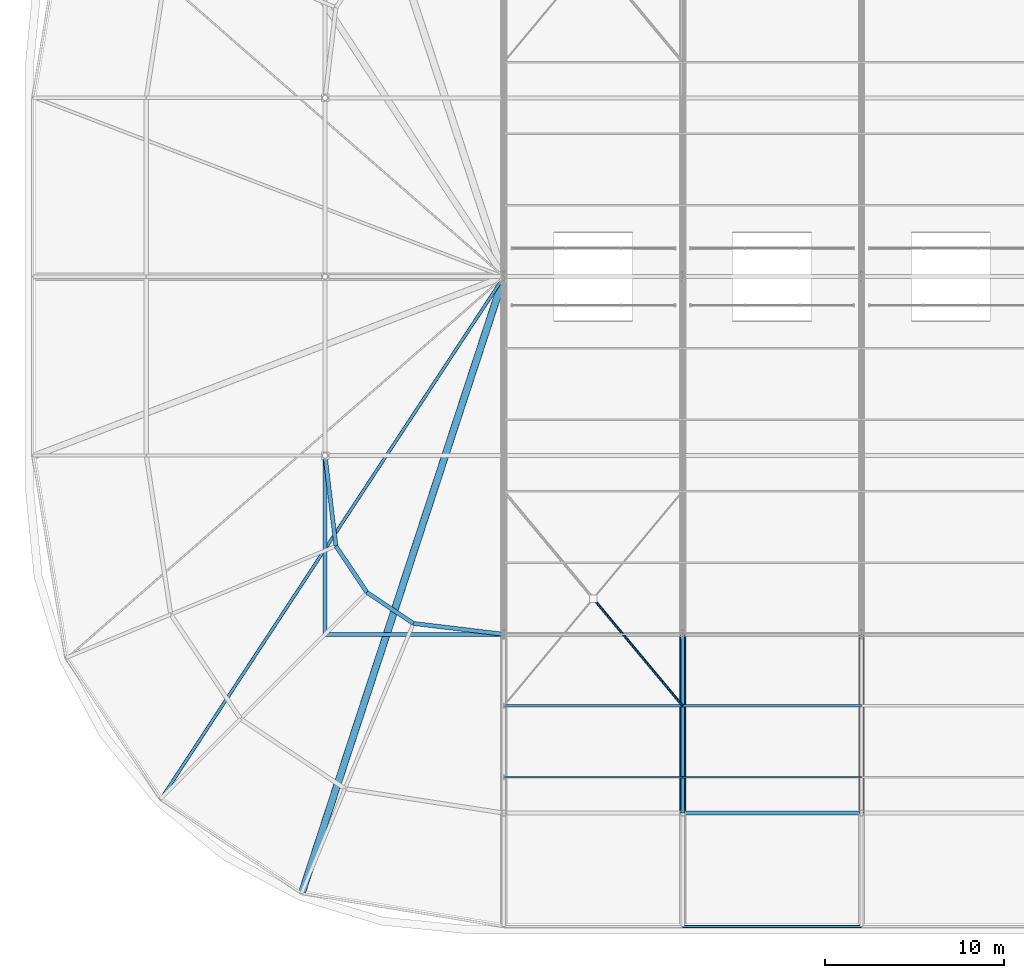
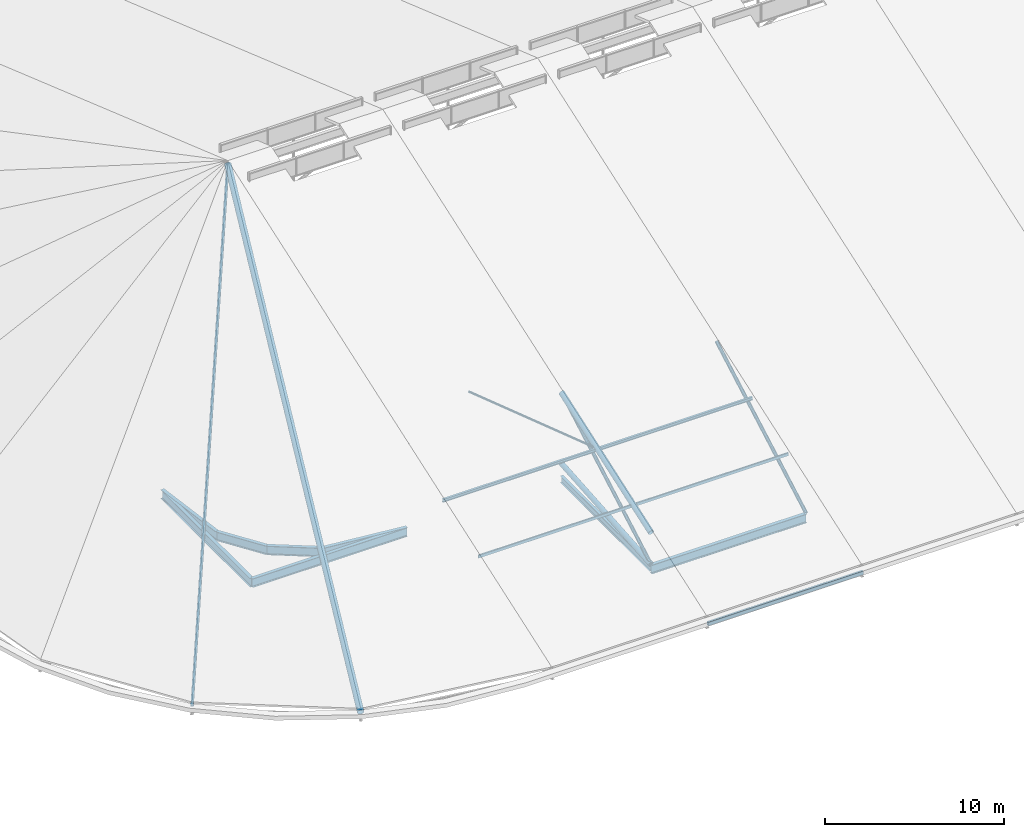
# One storey, part 10 of 93: 11 members, 9 beams.
"""IFC4 building model written with IfcOpenShell, lengths in metres."""

import ifcopenshell
import ifcopenshell.guid

model = None  # the IFC model being written
_history = None  # IfcOwnerHistory: only IFC2X3 demands one
_inside = {}  # id of a spatial element -> (the spatial element, [elements in it])
_under = {}  # id of a project, library or spatial element -> (it, [spatial elements below it])
_declared = {}  # id of a project -> (the project, [libraries it declares])
_typed = {}  # id of a type object -> (the type object, [elements of that type])
_made_of = {}  # id of a material, layer set ... -> (it, [elements and type objects made of it])


def new_model(schema):
    """Start an empty IFC model of exactly this schema.

    Asked for "IFC4X3", IfcOpenShell would pick the latest addendum, in which some entities
    have other attributes; the version numbers below select the first issue.
    IFC2X3 requires an IfcOwnerHistory on every rooted entity: one is made here for all.
    """
    global model, _history
    if schema == "IFC4X3":
        model = ifcopenshell.file(schema_version=(4, 3, 0, 0))
    else:
        model = ifcopenshell.file(schema=schema)
    _inside.clear()
    _under.clear()
    _declared.clear()
    _typed.clear()
    _made_of.clear()
    _history = None
    if model.schema == "IFC2X3":
        org = make("IfcOrganization", Name="unknown")
        user = make(
            "IfcPersonAndOrganization",
            ThePerson=make("IfcPerson", FamilyName="unknown"),
            TheOrganization=org,
        )
        app = make(
            "IfcApplication",
            ApplicationDeveloper=org,
            Version="unknown",
            ApplicationFullName="unknown",
            ApplicationIdentifier="unknown",
        )
        _history = make(
            "IfcOwnerHistory",
            OwningUser=user,
            OwningApplication=app,
            ChangeAction="ADDED",
            CreationDate=0,
        )
    return model


def make(cls, **values):
    """One entity of the class cls with the attributes given. An attribute that is None is left unset."""
    return model.create_entity(
        cls, **{name: value for name, value in values.items() if value is not None}
    )


def rooted(cls, **values):
    """An entity with a GlobalId (a new one), such as an element, a storey or a relation."""
    return make(cls, GlobalId=ifcopenshell.guid.new(), OwnerHistory=_history, **values)


def si_unit(unit_type, name, prefix=None):
    """IfcSIUnit, for example si_unit("LENGTHUNIT", "METRE", prefix="MILLI")."""
    return make("IfcSIUnit", UnitType=unit_type, Prefix=prefix, Name=name)


def derived_unit(unit_type, elements):
    """IfcDerivedUnit: a product of units, each with its exponent."""
    return make(
        "IfcDerivedUnit",
        Elements=[
            make("IfcDerivedUnitElement", Unit=unit, Exponent=power)
            for unit, power in elements
        ],
        UnitType=unit_type,
    )


def assignment(units):
    """IfcUnitAssignment: the units of a project."""
    return None if units is None else make("IfcUnitAssignment", Units=units)


def point(xyz):
    """IfcCartesianPoint."""
    return None if xyz is None else make("IfcCartesianPoint", Coordinates=xyz)


def direction(xyz):
    """IfcDirection."""
    return None if xyz is None else make("IfcDirection", DirectionRatios=xyz)


def frame(location, z_axis=None, x_axis=None):
    """IfcAxis2Placement3D, a coordinate frame: its origin and axes. An axis left out is left unset."""
    return make(
        "IfcAxis2Placement3D",
        Location=point(location),
        Axis=direction(z_axis),
        RefDirection=direction(x_axis),
    )


def frame_2d(location, x_axis=None):
    """IfcAxis2Placement2D, a coordinate frame in the plane: its origin and x axis."""
    return make(
        "IfcAxis2Placement2D", Location=point(location), RefDirection=direction(x_axis)
    )


def origin():
    """The frame at (0, 0, 0) with its axes left unset."""
    return frame((0.0, 0.0, 0.0))


def origin_2d_with_axis():
    """The frame at (0, 0) in the plane with the x axis (1, 0) written out."""
    return frame_2d((0.0, 0.0), x_axis=(1.0, 0.0))


def place(relative_to, where):
    """IfcLocalPlacement: puts the frame where relative to a parent placement (None: the world)."""
    return make(
        "IfcLocalPlacement", PlacementRelTo=relative_to, RelativePlacement=where
    )


def context(
    kind, dimensions, precision=None, world=None, true_north=None, identifier=None
):
    """IfcGeometricRepresentationContext, for example the 3D "Model" context."""
    return make(
        "IfcGeometricRepresentationContext",
        ContextIdentifier=identifier,
        ContextType=kind,
        CoordinateSpaceDimension=dimensions,
        Precision=precision,
        WorldCoordinateSystem=world,
        TrueNorth=true_north,
    )


def subcontext(parent, identifier, kind, view, scale=None):
    """IfcGeometricRepresentationSubContext, for example "Body" below "Model"."""
    return make(
        "IfcGeometricRepresentationSubContext",
        ContextIdentifier=identifier,
        ContextType=kind,
        ParentContext=parent,
        TargetScale=scale,
        TargetView=view,
    )


def project(units=None, contexts=None):
    """IfcProject with its units and contexts."""
    return rooted(
        "IfcProject",
        Name="project",
        RepresentationContexts=contexts,
        UnitsInContext=assignment(units),
    )


def spatial(cls, under=None, at=None, **own):
    """A site, building, storey or space (cls), placed at a placement, below another one or the project."""
    s = rooted(cls, ObjectPlacement=at, **own)
    if under is not None:
        _under.setdefault(under.id(), (under, []))[1].append(s)
    return s


def profile(cls, at=None, kind="AREA", **sizes):
    """A parametric profile (cls). Its sizes go by their IFC names, for example OverallWidth=200.0."""
    return make(cls, ProfileType=kind, Position=at, **sizes)


def hollow_rectangle(**sizes):
    """IfcRectangleHollowProfileDef."""
    return profile("IfcRectangleHollowProfileDef", **sizes)


def hollow_circle(**sizes):
    """IfcCircleHollowProfileDef."""
    return profile("IfcCircleHollowProfileDef", **sizes)


def i_section(**sizes):
    """IfcIShapeProfileDef."""
    return profile("IfcIShapeProfileDef", **sizes)


def extrude(swept, where, along, depth):
    """IfcExtrudedAreaSolid: the profile swept, set in the frame where, extruded along a direction by depth."""
    return make(
        "IfcExtrudedAreaSolid",
        SweptArea=swept,
        Position=where,
        ExtrudedDirection=direction(along),
        Depth=depth,
    )


def shape(context_of_items, identifier, shape_type, items):
    """IfcShapeRepresentation: the items that make up one representation, for example the "Body"."""
    return make(
        "IfcShapeRepresentation",
        ContextOfItems=context_of_items,
        RepresentationIdentifier=identifier,
        RepresentationType=shape_type,
        Items=items,
    )


def material(Name=None, Category=None):
    """IfcMaterial."""
    return make("IfcMaterial", Name=Name, Category=Category)


def material_profile(
    of_material, cross_section, Name=None, Category=None, Priority=None
):
    """IfcMaterialProfile: a cross section and its material."""
    return make(
        "IfcMaterialProfile",
        Name=Name,
        Material=of_material,
        Profile=cross_section,
        Priority=Priority,
        Category=Category,
    )


def profile_set(profiles, Name=None, composite=None):
    """IfcMaterialProfileSet."""
    return make(
        "IfcMaterialProfileSet",
        Name=Name,
        MaterialProfiles=profiles,
        CompositeProfile=composite,
    )


def made_of(thing, what):
    """Note that an element or type object is made of a material, layer set ...; save() writes the relation."""
    if what is not None:
        _made_of.setdefault(what.id(), (what, []))[1].append(thing)
    return thing


def type_object(cls, material=None, **own):
    """A type object (cls), such as IfcWallType, which elements share."""
    return made_of(rooted(cls, **own), material)


def element(
    cls,
    number,
    at=None,
    inside=None,
    cuts=None,
    type_object=None,
    material=None,
    context=None,
    identifier="Body",
    shape_type=None,
    held_by="IfcProductDefinitionShape",
    body=None,
    shapes=None,
    **own,
):
    """One element of the class cls, such as IfcWall. Its Tag is "e" and its number.

    at: its placement. inside: the storey or other place that contains it. cuts: it is an
    opening in that element (IfcRelVoidsElement). A single representation is given by context,
    identifier, shape_type and body (its items); several are given by shapes. held_by: the class
    of the entity that holds the representations. save() writes the other relations.
    """
    e = rooted(cls, Tag="e%d" % number, ObjectPlacement=at, **own)
    if body is not None:
        shapes = [shape(context, identifier, shape_type, body)]
    if shapes is not None:
        e.Representation = make(held_by, Representations=shapes)
    if inside is not None:
        _inside.setdefault(inside.id(), (inside, []))[1].append(e)
    if cuts is not None:
        rooted(
            "IfcRelVoidsElement", RelatingBuildingElement=cuts, RelatedOpeningElement=e
        )
    if type_object is not None:
        _typed.setdefault(type_object.id(), (type_object, []))[1].append(e)
    return made_of(e, material)


def aggregate(whole, parts):
    """IfcRelAggregates: a whole, such as a stair, and the parts it consists of."""
    return rooted("IfcRelAggregates", RelatingObject=whole, RelatedObjects=parts)


def save(model, path):
    """Write the relations noted so far, then the file.

    IfcRelAggregates (storeys below a building ...), IfcRelContainedInSpatialStructure (elements
    in a storey), IfcRelDefinesByType, IfcRelAssociatesMaterial and IfcRelDeclares: one each for
    every whole, place, type object, material and project.
    """
    for whole, parts in _under.values():
        aggregate(whole, parts)
    for where, things in _inside.values():
        rooted(
            "IfcRelContainedInSpatialStructure",
            RelatedElements=things,
            RelatingStructure=where,
        )
    for kind, things in _typed.values():
        rooted("IfcRelDefinesByType", RelatedObjects=things, RelatingType=kind)
    for what, things in _made_of.values():
        rooted("IfcRelAssociatesMaterial", RelatedObjects=things, RelatingMaterial=what)
    for by, libraries in _declared.values():
        rooted("IfcRelDeclares", RelatingContext=by, RelatedDefinitions=libraries)
    model.write(path)


model = new_model("IFC4")

# Units and contexts
model_context = context("Model", 3, precision=1e-05, world=origin(), true_north=direction((0.0, 1.0)))
body_context = subcontext(model_context, "Body", "Model", "MODEL_VIEW")
ifc_project = project(units=[si_unit("LENGTHUNIT", "METRE"), si_unit("AREAUNIT", "SQUARE_METRE"), si_unit("VOLUMEUNIT", "CUBIC_METRE"), si_unit("PLANEANGLEUNIT", "RADIAN"), si_unit("MASSUNIT", "GRAM", prefix="KILO"), derived_unit("THERMALTRANSMITTANCEUNIT", [(si_unit("POWERUNIT", "WATT"), 1), (si_unit("LENGTHUNIT", "METRE"), -2), (si_unit("THERMODYNAMICTEMPERATUREUNIT", "KELVIN"), -1)])], contexts=[model_context])

# Site, building, storey
site_placement = place(None, origin())
site = spatial("IfcSite", under=ifc_project, at=site_placement, CompositionType="ELEMENT")
building_placement = place(site_placement, origin())
building = spatial("IfcBuilding", under=site, at=building_placement, Name="Cinnabar Yard Market Hall", CompositionType="ELEMENT")
storey_placement = place(building_placement, frame((0.0, 0.0, 23.800048828125)))
storey = spatial("IfcBuildingStorey", under=building, at=storey_placement, Name="ROOF", CompositionType="ELEMENT", Elevation=23.800048828125)

# Beams
ifc_material_1 = material(Name="Steel Grade 350 (350 MPa)", Category="steel")
ifc_material_profile_1 = material_profile(ifc_material_1, i_section(OverallWidth=0.22900390625, OverallDepth=0.611572265625, WebThickness=0.011962890625, FlangeThickness=0.01953125, FilletRadius=0.013916015625, at=origin_2d_with_axis()), Name="610UB125")
ifc_profile_set_1 = profile_set([ifc_material_profile_1], Name="Steel Grade 350 (350 MPa)")
beam_type_1 = type_object("IfcBeamType", Name="BM-B01E", PredefinedType="BEAM", material=ifc_profile_set_1)
beam_1_placement = place(storey_placement, frame((96.0, 14.0, -9.705810546875), z_axis=(1.0, 0.0, 0.0), x_axis=(0.0, 1.0, 0.0)))
element("IfcBeam", 1, at=beam_1_placement, inside=storey, type_object=beam_type_1, Name="South Springer Girder 00358", PredefinedType="BEAM", context=body_context, shape_type="SweptSolid", body=[
    extrude(i_section(OverallWidth=0.22900390625, OverallDepth=0.611572265625, WebThickness=0.011962890625, FlangeThickness=0.01953125, FilletRadius=0.013916015625, at=origin_2d_with_axis()), origin(), (0.0, 0.0, 1.0), 10.0),
])
ifc_material_2 = material(Name="Steel Grade 300 (300 MPa)", Category="steel")
ifc_material_profile_2 = material_profile(ifc_material_2, i_section(OverallWidth=0.22802734375, OverallDepth=0.60205078125, WebThickness=0.010498046875, FlangeThickness=0.014892578125, FilletRadius=0.013916015625, at=origin_2d_with_axis()), Name="610UB101")
ifc_profile_set_2 = profile_set([ifc_material_profile_2], Name="Steel Grade 300 (300 MPa)")
beam_type_2 = type_object("IfcBeamType", Name="BM-B02", PredefinedType="BEAM", material=ifc_profile_set_2)
for number, where, z_axis, x_axis, name in (
    (2, (76.0, 24.0, -9.700927734375), (1.0, 0.0, 0.0), (0.0, 1.0, 0.0), "Hall Longitudinal Tie Girder 00372"),
    (3, (76.0, 24.0, -9.700927734375), (0.0, 1.0, 0.0), (-1.0, 0.0, 0.0), "Hall Transverse Tie Girder 00412"),
):
    element("IfcBeam", number, at=place(storey_placement, frame(where, z_axis=z_axis, x_axis=x_axis)), inside=storey, type_object=beam_type_2, Name=name, PredefinedType="BEAM", context=body_context, shape_type="SweptSolid", body=[
        extrude(i_section(OverallWidth=0.22802734375, OverallDepth=0.60205078125, WebThickness=0.010498046875, FlangeThickness=0.014892578125, FilletRadius=0.013916015625, at=origin_2d_with_axis()), origin(), (0.0, 0.0, 1.0), 10.0),
    ])
beam_2_placement = place(storey_placement, frame((76.0, 34.0, -9.700927734375), z_axis=(0.119436026198, -0.992841898615, 0.0), x_axis=(0.992841898615, 0.119436026198, 0.0)))
element("IfcBeam", 4, at=beam_2_placement, inside=storey, type_object=beam_type_2, Name="Inner Corner Ring SW 00448", PredefinedType="BEAM", context=body_context, shape_type="SweptSolid", body=[
    extrude(i_section(OverallWidth=0.22802734375, OverallDepth=0.60205078125, WebThickness=0.010498046875, FlangeThickness=0.014892578125, FilletRadius=0.013916015625, at=origin_2d_with_axis()), origin(), (0.0, 0.0, 1.0), 5.097900390625),
])
for number, where, z_axis, x_axis, name in (
    (5, (76.60888671875, 28.9384765625, -9.700927734375), (0.555548220115, -0.831484320434, 0.0), (0.831484320434, 0.555548220115, 0.0), "Inner Corner Ring SW 00451"),
    (6, (78.343017578125, 26.343017578125, -9.700927734375), (0.831484320434, -0.555548220115, 0.0), (0.555548220115, 0.831484320434, 0.0), "Inner Corner Ring SW 00454"),
):
    element("IfcBeam", number, at=place(storey_placement, frame(where, z_axis=z_axis, x_axis=x_axis)), inside=storey, type_object=beam_type_2, Name=name, PredefinedType="BEAM", context=body_context, shape_type="SweptSolid", body=[
        extrude(i_section(OverallWidth=0.22802734375, OverallDepth=0.60205078125, WebThickness=0.010498046875, FlangeThickness=0.014892578125, FilletRadius=0.013916015625, at=origin_2d_with_axis()), origin(), (0.0, 0.0, 1.0), 3.12158203125),
    ])
beam_3_placement = place(storey_placement, frame((80.9384765625, 24.60888671875, -9.700927734375), z_axis=(0.992841898615, -0.119436026198, 0.0), x_axis=(0.119436026198, 0.992841898615, 0.0)))
element("IfcBeam", 7, at=beam_3_placement, inside=storey, type_object=beam_type_2, Name="Inner Corner Ring SW 00457", PredefinedType="BEAM", context=body_context, shape_type="SweptSolid", body=[
    extrude(i_section(OverallWidth=0.22802734375, OverallDepth=0.60205078125, WebThickness=0.010498046875, FlangeThickness=0.014892578125, FilletRadius=0.013916015625, at=origin_2d_with_axis()), origin(), (0.0, 0.0, 1.0), 5.097900390625),
])
ifc_material_profile_3 = material_profile(ifc_material_2, i_section(OverallWidth=0.19091796875, OverallDepth=0.46044921875, WebThickness=0.010009765625, FlangeThickness=0.01611328125, FilletRadius=0.011474609375, at=origin_2d_with_axis()), Name="460UB82.1")
ifc_profile_set_3 = profile_set([ifc_material_profile_3], Name="Steel Grade 300 (300 MPa)")
beam_type_3 = type_object("IfcBeamType", Name="BM-B04", PredefinedType="BEAM", material=ifc_profile_set_3)
beam_4_placement = place(storey_placement, frame((96.0, 24.0, -9.630126953125), z_axis=(0.0, -1.0, 0.0), x_axis=(1.0, 0.0, 0.0)))
element("IfcBeam", 8, at=beam_4_placement, inside=storey, type_object=beam_type_3, Name="South Chhajja Backspan Girder 00524", PredefinedType="BEAM", context=body_context, shape_type="SweptSolid", body=[
    extrude(i_section(OverallWidth=0.19091796875, OverallDepth=0.46044921875, WebThickness=0.010009765625, FlangeThickness=0.01611328125, FilletRadius=0.011474609375, at=origin_2d_with_axis()), origin(), (0.0, 0.0, 1.0), 10.0),
])
ifc_material_3 = material(Name="Cold-formed steel C350L0", Category="steel")
ifc_material_profile_4 = material_profile(ifc_material_3, hollow_rectangle(XDim=0.14990234375, YDim=0.25, WallThickness=0.009033203125, InnerFilletRadius=0.009033203125, OuterFilletRadius=0.01806640625, at=origin_2d_with_axis()), Name="250x150x9.0RHS")
ifc_profile_set_4 = profile_set([ifc_material_profile_4], Name="Cold-formed steel C350L0")
beam_type_4 = type_object("IfcBeamType", Name="BM-SP01E", PredefinedType="SPANDREL", material=ifc_profile_set_4)
beam_5_placement = place(storey_placement, frame((96.0, 7.659912109375, -9.60498046875), z_axis=(1.0, 0.0, 0.0), x_axis=(0.0, 1.0, 0.0)))
element("IfcBeam", 9, at=beam_5_placement, inside=storey, type_object=beam_type_4, Name="South Eave Fascia 00550", PredefinedType="SPANDREL", context=body_context, shape_type="SweptSolid", body=[
    extrude(hollow_rectangle(XDim=0.14990234375, YDim=0.25, WallThickness=0.009033203125, InnerFilletRadius=0.009033203125, OuterFilletRadius=0.01806640625, at=origin_2d_with_axis()), origin(), (0.0, 0.0, 1.0), 10.0),
])

# Members
ifc_material_profile_5 = material_profile(ifc_material_3, hollow_circle(Radius=0.161865234375, WallThickness=0.009521484375, at=origin_2d_with_axis()), Name="323.9x9.5CHS")
ifc_profile_set_5 = profile_set([ifc_material_profile_5], Name="Cold-formed steel C350L0")
member_type_1 = type_object("IfcMemberType", Name="MB-BC01", PredefinedType="CHORD", material=ifc_profile_set_5)
member_1_placement = place(storey_placement, frame((96.0, 14.0, -9.400146484375), z_axis=(0.0, 0.99681489162, 0.07975005859), x_axis=(-1.0, 0.0, 0.0)))
element("IfcMember", 10, at=member_1_placement, inside=storey, type_object=member_type_1, Name="Hall Truss 96 Bottom Chord 1", PredefinedType="CHORD", context=body_context, shape_type="SweptSolid", body=[
    extrude(hollow_circle(Radius=0.161865234375, WallThickness=0.009521484375, at=origin_2d_with_axis()), origin(), (0.0, 0.0, 1.0), 10.031982421875),
])
ifc_material_profile_6 = material_profile(ifc_material_3, hollow_rectangle(XDim=0.175048828125, YDim=0.175048828125, WallThickness=0.006103515625, InnerFilletRadius=0.006103515625, OuterFilletRadius=0.011962890625, at=origin_2d_with_axis()), Name="175x175x6.0SHS")
ifc_profile_set_6 = profile_set([ifc_material_profile_6], Name="Cold-formed steel C350L0")
member_type_2 = type_object("IfcMemberType", Name="MB-BR05", PredefinedType="BRACE", material=ifc_profile_set_6)
member_2_placement = place(storey_placement, frame((86.0, 44.0, 3.199951171875), z_axis=(-0.516062640809, -0.786082003475, -0.340227033867), x_axis=(0.835952129512, -0.548802366215, 0.0)))
element("IfcMember", 11, at=member_2_placement, inside=storey, type_object=member_type_2, Name="West Apsidal Hip Rafter 02", PredefinedType="BRACE", context=body_context, shape_type="SweptSolid", body=[
    extrude(hollow_rectangle(XDim=0.175048828125, YDim=0.175048828125, WallThickness=0.006103515625, InnerFilletRadius=0.006103515625, OuterFilletRadius=0.011962890625, at=origin_2d_with_axis()), origin(), (0.0, 0.0, 1.0), 37.034423828125),
])
ifc_material_profile_7 = material_profile(ifc_material_3, hollow_circle(Radius=0.109619140625, WallThickness=0.00830078125, at=origin_2d_with_axis()), Name="219.1x8.2CHS")
ifc_profile_set_7 = profile_set([ifc_material_profile_7], Name="Cold-formed steel C350L0")
member_type_3 = type_object("IfcMemberType", Name="MB-DG01", PredefinedType="BRACE", material=ifc_profile_set_7)
for number, where, z_axis, x_axis, name in (
    (12, (96.0, 14.0, -9.400146484375), (0.0, 0.871057093215, 0.491181779345), (-1.0, 0.0, 0.0), "Hall Truss 96 Diagonal 1"),
    (13, (106.0, 14.0, -9.400146484375), (0.0, 0.871057093215, 0.491181779345), (-1.0, 0.0, 0.0), "Hall Truss 106 Diagonal 1"),
):
    element("IfcMember", number, at=place(storey_placement, frame(where, z_axis=z_axis, x_axis=x_axis)), inside=storey, type_object=member_type_3, Name=name, PredefinedType="BRACE", context=body_context, shape_type="SweptSolid", body=[
        extrude(hollow_circle(Radius=0.109619140625, WallThickness=0.00830078125, at=origin_2d_with_axis()), origin(), (0.0, 0.0, 1.0), 11.480224609375),
    ])
ifc_material_profile_8 = material_profile(ifc_material_3, hollow_rectangle(XDim=0.10009765625, YDim=0.199951171875, WallThickness=0.006103515625, InnerFilletRadius=0.006103515625, OuterFilletRadius=0.011962890625, at=origin_2d_with_axis()), Name="200x100x6.0RHS")
ifc_profile_set_8 = profile_set([ifc_material_profile_8], Name="Cold-formed steel C350L0")
member_type_4 = type_object("IfcMemberType", Name="MB-PU01", PredefinedType="PURLIN", material=ifc_profile_set_8)
for number, where, z_axis, x_axis, name in (
    (14, (86.0, 16.0, -6.5859375), (1.0, 0.0, 0.0), (0.0, 1.0, 0.0), "Hall Roof Purlin Y16 X86"),
    (15, (96.0, 16.0, -6.5859375), (1.0, 0.0, 0.0), (0.0, 1.0, 0.0), "Hall Roof Purlin Y16 X96"),
):
    element("IfcMember", number, at=place(storey_placement, frame(where, z_axis=z_axis, x_axis=x_axis)), inside=storey, type_object=member_type_4, Name=name, PredefinedType="PURLIN", context=body_context, shape_type="SweptSolid", body=[
        extrude(hollow_rectangle(XDim=0.10009765625, YDim=0.199951171875, WallThickness=0.006103515625, InnerFilletRadius=0.006103515625, OuterFilletRadius=0.011962890625, at=origin_2d_with_axis()), origin(), (0.0, 0.0, 1.0), 10.0),
    ])
ifc_material_profile_9 = material_profile(ifc_material_2, i_section(OverallWidth=0.134033203125, OverallDepth=0.20703125, WebThickness=0.00634765625, FlangeThickness=0.009521484375, FilletRadius=0.0087890625, at=origin_2d_with_axis()), Name="200UB29.8")
ifc_profile_set_9 = profile_set([ifc_material_profile_9], Name="Steel Grade 300 (300 MPa)")
member_type_5 = type_object("IfcMemberType", Name="MB-PU02", PredefinedType="PURLIN", material=ifc_profile_set_9)
for number, where, z_axis, x_axis, name in (
    (16, (86.0, 20.0, -5.193603515625), (1.0, 0.0, 0.0), (0.0, 1.0, 0.0), "Hall Roof Purlin Y20 X86"),
    (17, (96.0, 20.0, -5.193603515625), (1.0, 0.0, 0.0), (0.0, 1.0, 0.0), "Hall Roof Purlin Y20 X96"),
):
    element("IfcMember", number, at=place(storey_placement, frame(where, z_axis=z_axis, x_axis=x_axis)), inside=storey, type_object=member_type_5, Name=name, PredefinedType="PURLIN", context=body_context, shape_type="SweptSolid", body=[
        extrude(i_section(OverallWidth=0.134033203125, OverallDepth=0.20703125, WebThickness=0.00634765625, FlangeThickness=0.009521484375, FilletRadius=0.0087890625, at=origin_2d_with_axis()), origin(), (0.0, 0.0, 1.0), 10.0),
    ])
ifc_material_profile_10 = material_profile(ifc_material_3, hollow_circle(Radius=0.06982421875, WallThickness=0.0048828125, at=origin_2d_with_axis()), Name="139.7x5.0CHS")
ifc_profile_set_10 = profile_set([ifc_material_profile_10], Name="Cold-formed steel C350L0")
member_type_6 = type_object("IfcMemberType", Name="MB-RB01", PredefinedType="BRACE", material=ifc_profile_set_10)
member_3_placement = place(storey_placement, frame((96.0, 20.0, -5.153564453125), z_axis=(-0.61846336012, 0.742174446099, 0.258225025409), x_axis=(-0.768229091176, -0.640175025654, 0.0)))
element("IfcMember", 18, at=member_3_placement, inside=storey, type_object=member_type_6, Name="Roof Plan Split X-Brace 86-20B1", PredefinedType="BRACE", context=body_context, shape_type="SweptSolid", body=[
    extrude(hollow_circle(Radius=0.06982421875, WallThickness=0.0048828125, at=origin_2d_with_axis()), origin(), (0.0, 0.0, 1.0), 7.955078125),
])
ifc_material_profile_11 = material_profile(ifc_material_3, hollow_circle(Radius=0.177734375, WallThickness=0.0126953125, at=origin_2d_with_axis()), Name="355.6x12.7CHS")
ifc_profile_set_11 = profile_set([ifc_material_profile_11], Name="Cold-formed steel C350L0")
member_type_7 = type_object("IfcMemberType", Name="MB-TC01", PredefinedType="CHORD", material=ifc_profile_set_11)
member_4_placement = place(storey_placement, frame((96.0, 14.0, -7.241943359375), z_axis=(0.0, 0.944424919483, 0.328727199147), x_axis=(-1.0, 0.0, 0.0)))
element("IfcMember", 19, at=member_4_placement, inside=storey, type_object=member_type_7, Name="Hall Truss 96 Top Chord 1", PredefinedType="CHORD", context=body_context, shape_type="SweptSolid", body=[
    extrude(hollow_circle(Radius=0.177734375, WallThickness=0.0126953125, at=origin_2d_with_axis()), origin(), (0.0, 0.0, 1.0), 10.58837890625),
])
ifc_material_profile_12 = material_profile(ifc_material_3, hollow_circle(Radius=0.203125, WallThickness=0.0126953125, at=origin_2d_with_axis()), Name="406.4x12.7CHS")
ifc_profile_set_12 = profile_set([ifc_material_profile_12], Name="Cold-formed steel C350L0")
member_type_8 = type_object("IfcMemberType", Name="MB-TC03", PredefinedType="CHORD", material=ifc_profile_set_12)
member_5_placement = place(storey_placement, frame((86.0, 44.0, 3.199951171875), z_axis=(-0.294105928057, -0.897333924239, -0.32907982541), x_axis=(0.950261487269, -0.31145321609, 0.0)))
element("IfcMember", 20, at=member_5_placement, inside=storey, type_object=member_type_8, Name="West Apsidal Hip Rafter 01", PredefinedType="CHORD", context=body_context, shape_type="SweptSolid", body=[
    extrude(hollow_circle(Radius=0.203125, WallThickness=0.0126953125, at=origin_2d_with_axis()), origin(), (0.0, 0.0, 1.0), 38.288818359375),
])

save(model, "model.ifc")
